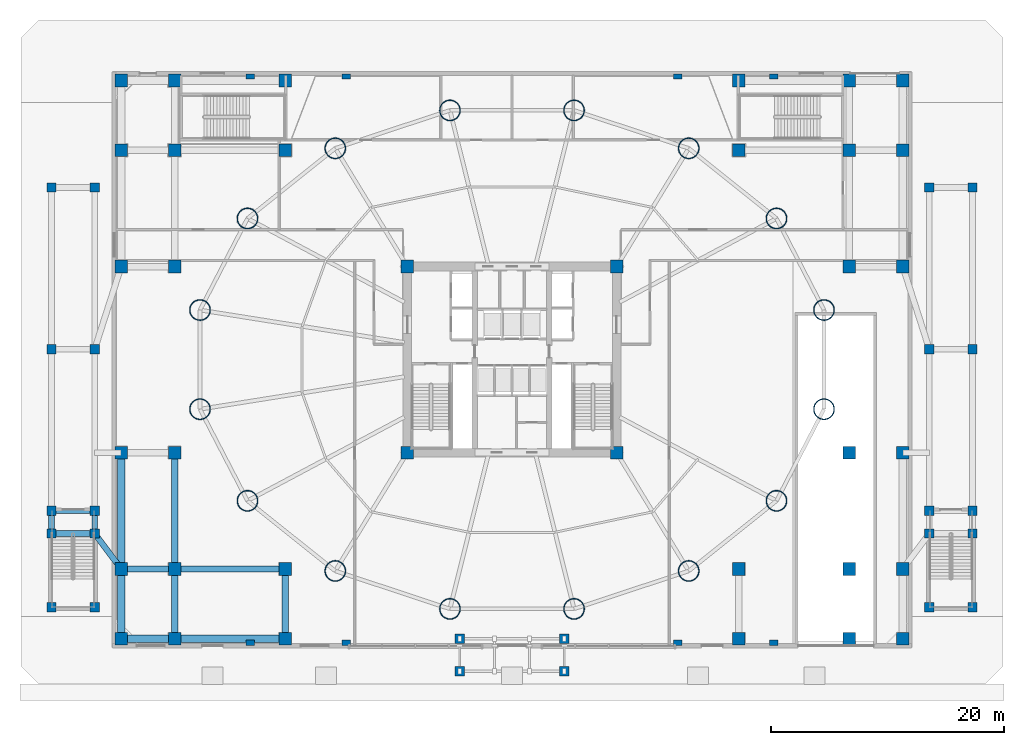
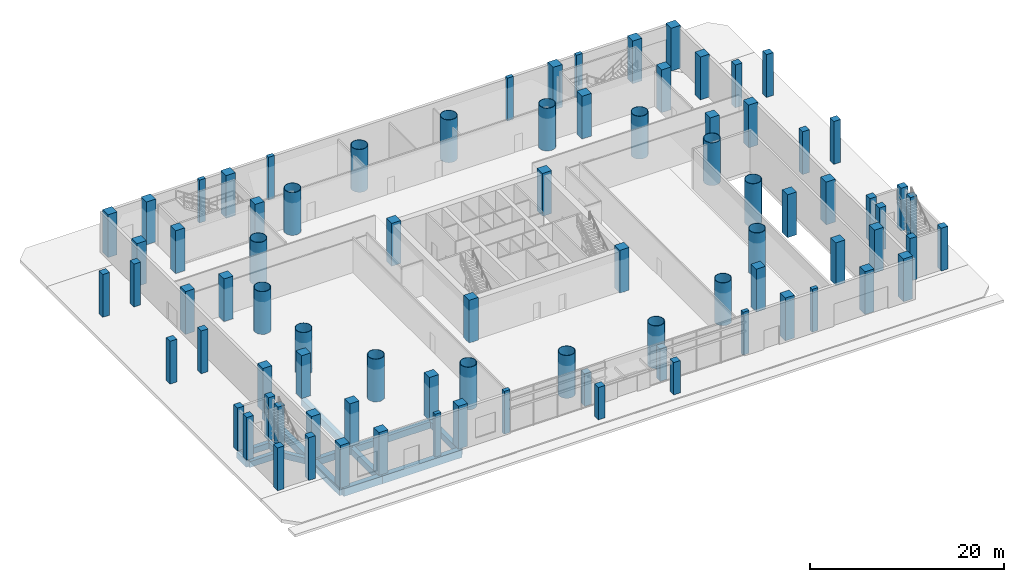
# One storey, part 1 of 25: 84 columns, 14 beams.
"""IFC4 building model written with IfcOpenShell, lengths in metres."""

import ifcopenshell
import ifcopenshell.guid

model = None  # the IFC model being written
_history = None  # IfcOwnerHistory: only IFC2X3 demands one
_inside = {}  # id of a spatial element -> (the spatial element, [elements in it])
_under = {}  # id of a project, library or spatial element -> (it, [spatial elements below it])
_declared = {}  # id of a project -> (the project, [libraries it declares])
_typed = {}  # id of a type object -> (the type object, [elements of that type])
_made_of = {}  # id of a material, layer set ... -> (it, [elements and type objects made of it])


def new_model(schema):
    """Start an empty IFC model of exactly this schema.

    Asked for "IFC4X3", IfcOpenShell would pick the latest addendum, in which some entities
    have other attributes; the version numbers below select the first issue.
    IFC2X3 requires an IfcOwnerHistory on every rooted entity: one is made here for all.
    """
    global model, _history
    if schema == "IFC4X3":
        model = ifcopenshell.file(schema_version=(4, 3, 0, 0))
    else:
        model = ifcopenshell.file(schema=schema)
    _inside.clear()
    _under.clear()
    _declared.clear()
    _typed.clear()
    _made_of.clear()
    _history = None
    if model.schema == "IFC2X3":
        org = make("IfcOrganization", Name="unknown")
        user = make(
            "IfcPersonAndOrganization",
            ThePerson=make("IfcPerson", FamilyName="unknown"),
            TheOrganization=org,
        )
        app = make(
            "IfcApplication",
            ApplicationDeveloper=org,
            Version="unknown",
            ApplicationFullName="unknown",
            ApplicationIdentifier="unknown",
        )
        _history = make(
            "IfcOwnerHistory",
            OwningUser=user,
            OwningApplication=app,
            ChangeAction="ADDED",
            CreationDate=0,
        )
    return model


def make(cls, **values):
    """One entity of the class cls with the attributes given. An attribute that is None is left unset."""
    return model.create_entity(
        cls, **{name: value for name, value in values.items() if value is not None}
    )


def rooted(cls, **values):
    """An entity with a GlobalId (a new one), such as an element, a storey or a relation."""
    return make(cls, GlobalId=ifcopenshell.guid.new(), OwnerHistory=_history, **values)


def si_unit(unit_type, name, prefix=None):
    """IfcSIUnit, for example si_unit("LENGTHUNIT", "METRE", prefix="MILLI")."""
    return make("IfcSIUnit", UnitType=unit_type, Prefix=prefix, Name=name)


def assignment(units):
    """IfcUnitAssignment: the units of a project."""
    return None if units is None else make("IfcUnitAssignment", Units=units)


def point(xyz):
    """IfcCartesianPoint."""
    return None if xyz is None else make("IfcCartesianPoint", Coordinates=xyz)


def direction(xyz):
    """IfcDirection."""
    return None if xyz is None else make("IfcDirection", DirectionRatios=xyz)


def frame(location, z_axis=None, x_axis=None):
    """IfcAxis2Placement3D, a coordinate frame: its origin and axes. An axis left out is left unset."""
    return make(
        "IfcAxis2Placement3D",
        Location=point(location),
        Axis=direction(z_axis),
        RefDirection=direction(x_axis),
    )


def frame_2d(location, x_axis=None):
    """IfcAxis2Placement2D, a coordinate frame in the plane: its origin and x axis."""
    return make(
        "IfcAxis2Placement2D", Location=point(location), RefDirection=direction(x_axis)
    )


def origin():
    """The frame at (0, 0, 0) with its axes left unset."""
    return frame((0.0, 0.0, 0.0))


def origin_2d():
    """The frame at (0, 0) in the plane with its x axis left unset."""
    return frame_2d((0.0, 0.0))


def place(relative_to, where):
    """IfcLocalPlacement: puts the frame where relative to a parent placement (None: the world)."""
    return make(
        "IfcLocalPlacement", PlacementRelTo=relative_to, RelativePlacement=where
    )


def context(
    kind, dimensions, precision=None, world=None, true_north=None, identifier=None
):
    """IfcGeometricRepresentationContext, for example the 3D "Model" context."""
    return make(
        "IfcGeometricRepresentationContext",
        ContextIdentifier=identifier,
        ContextType=kind,
        CoordinateSpaceDimension=dimensions,
        Precision=precision,
        WorldCoordinateSystem=world,
        TrueNorth=true_north,
    )


def subcontext(parent, identifier, kind, view, scale=None):
    """IfcGeometricRepresentationSubContext, for example "Body" below "Model"."""
    return make(
        "IfcGeometricRepresentationSubContext",
        ContextIdentifier=identifier,
        ContextType=kind,
        ParentContext=parent,
        TargetScale=scale,
        TargetView=view,
    )


def project(units=None, contexts=None):
    """IfcProject with its units and contexts."""
    return rooted(
        "IfcProject",
        Name="project",
        RepresentationContexts=contexts,
        UnitsInContext=assignment(units),
    )


def spatial(cls, under=None, at=None, **own):
    """A site, building, storey or space (cls), placed at a placement, below another one or the project."""
    s = rooted(cls, ObjectPlacement=at, **own)
    if under is not None:
        _under.setdefault(under.id(), (under, []))[1].append(s)
    return s


def profile(cls, at=None, kind="AREA", **sizes):
    """A parametric profile (cls). Its sizes go by their IFC names, for example OverallWidth=200.0."""
    return make(cls, ProfileType=kind, Position=at, **sizes)


def rectangle(**sizes):
    """IfcRectangleProfileDef."""
    return profile("IfcRectangleProfileDef", **sizes)


def hollow_circle(**sizes):
    """IfcCircleHollowProfileDef."""
    return profile("IfcCircleHollowProfileDef", **sizes)


def extrude(swept, where, along, depth):
    """IfcExtrudedAreaSolid: the profile swept, set in the frame where, extruded along a direction by depth."""
    return make(
        "IfcExtrudedAreaSolid",
        SweptArea=swept,
        Position=where,
        ExtrudedDirection=direction(along),
        Depth=depth,
    )


def shape(context_of_items, identifier, shape_type, items):
    """IfcShapeRepresentation: the items that make up one representation, for example the "Body"."""
    return make(
        "IfcShapeRepresentation",
        ContextOfItems=context_of_items,
        RepresentationIdentifier=identifier,
        RepresentationType=shape_type,
        Items=items,
    )


def material(Name=None, Category=None):
    """IfcMaterial."""
    return make("IfcMaterial", Name=Name, Category=Category)


def material_profile(
    of_material, cross_section, Name=None, Category=None, Priority=None
):
    """IfcMaterialProfile: a cross section and its material."""
    return make(
        "IfcMaterialProfile",
        Name=Name,
        Material=of_material,
        Profile=cross_section,
        Priority=Priority,
        Category=Category,
    )


def profile_set(profiles, Name=None, composite=None):
    """IfcMaterialProfileSet."""
    return make(
        "IfcMaterialProfileSet",
        Name=Name,
        MaterialProfiles=profiles,
        CompositeProfile=composite,
    )


def made_of(thing, what):
    """Note that an element or type object is made of a material, layer set ...; save() writes the relation."""
    if what is not None:
        _made_of.setdefault(what.id(), (what, []))[1].append(thing)
    return thing


def type_object(cls, material=None, **own):
    """A type object (cls), such as IfcWallType, which elements share."""
    return made_of(rooted(cls, **own), material)


def element(
    cls,
    number,
    at=None,
    inside=None,
    cuts=None,
    type_object=None,
    material=None,
    context=None,
    identifier="Body",
    shape_type=None,
    held_by="IfcProductDefinitionShape",
    body=None,
    shapes=None,
    **own,
):
    """One element of the class cls, such as IfcWall. Its Tag is "e" and its number.

    at: its placement. inside: the storey or other place that contains it. cuts: it is an
    opening in that element (IfcRelVoidsElement). A single representation is given by context,
    identifier, shape_type and body (its items); several are given by shapes. held_by: the class
    of the entity that holds the representations. save() writes the other relations.
    """
    e = rooted(cls, Tag="e%d" % number, ObjectPlacement=at, **own)
    if body is not None:
        shapes = [shape(context, identifier, shape_type, body)]
    if shapes is not None:
        e.Representation = make(held_by, Representations=shapes)
    if inside is not None:
        _inside.setdefault(inside.id(), (inside, []))[1].append(e)
    if cuts is not None:
        rooted(
            "IfcRelVoidsElement", RelatingBuildingElement=cuts, RelatedOpeningElement=e
        )
    if type_object is not None:
        _typed.setdefault(type_object.id(), (type_object, []))[1].append(e)
    return made_of(e, material)


def aggregate(whole, parts):
    """IfcRelAggregates: a whole, such as a stair, and the parts it consists of."""
    return rooted("IfcRelAggregates", RelatingObject=whole, RelatedObjects=parts)


def save(model, path):
    """Write the relations noted so far, then the file.

    IfcRelAggregates (storeys below a building ...), IfcRelContainedInSpatialStructure (elements
    in a storey), IfcRelDefinesByType, IfcRelAssociatesMaterial and IfcRelDeclares: one each for
    every whole, place, type object, material and project.
    """
    for whole, parts in _under.values():
        aggregate(whole, parts)
    for where, things in _inside.values():
        rooted(
            "IfcRelContainedInSpatialStructure",
            RelatedElements=things,
            RelatingStructure=where,
        )
    for kind, things in _typed.values():
        rooted("IfcRelDefinesByType", RelatedObjects=things, RelatingType=kind)
    for what, things in _made_of.values():
        rooted("IfcRelAssociatesMaterial", RelatedObjects=things, RelatingMaterial=what)
    for by, libraries in _declared.values():
        rooted("IfcRelDeclares", RelatingContext=by, RelatedDefinitions=libraries)
    model.write(path)


model = new_model("IFC4")

# Units and contexts
model_context = context("Model", 3, precision=1e-05, world=origin(), true_north=direction((-0.2419218956, 0.970295726276)))
body_context = subcontext(model_context, "Body", "Model", "MODEL_VIEW")
ifc_project = project(units=[si_unit("LENGTHUNIT", "METRE"), si_unit("AREAUNIT", "SQUARE_METRE"), si_unit("VOLUMEUNIT", "CUBIC_METRE"), si_unit("PLANEANGLEUNIT", "RADIAN"), si_unit("MASSUNIT", "GRAM", prefix="KILO")], contexts=[model_context])

# Site, building, storey
site_placement = place(None, origin())
site = spatial("IfcSite", under=ifc_project, at=site_placement, CompositionType="ELEMENT")
building_placement = place(site_placement, origin())
building = spatial("IfcBuilding", under=site, at=building_placement, Name="Cobrevalo Terracotta Tower", CompositionType="ELEMENT")
storey_placement = place(building_placement, origin())
storey = spatial("IfcBuildingStorey", under=building, at=storey_placement, Name="L00", CompositionType="ELEMENT", Elevation=0.0)

# Columns
ifc_material_1 = material(Name="Steel S355", Category="steel")
ifc_material_profile_1 = material_profile(ifc_material_1, hollow_circle(Radius=0.89990234375, WallThickness=0.054931640625, at=origin_2d()), Name="CHS 1800x55")
ifc_profile_set_1 = profile_set([ifc_material_profile_1], Name="Steel S355")
column_type_1 = type_object("IfcColumnType", Name="Structural Column CHS 1800x55 (Steel S355)", PredefinedType="COLUMN", material=ifc_profile_set_1)
for number, where, z_axis, x_axis, name in (
    (1, (64.824462890625, 31.062744140625, 0.0), (0.0, 0.0, 1.0), (1.0, 0.0, 0.0), "L00 composite megacolumn MC01"),
    (2, (60.74072265625, 38.939208984375, 0.0), (0.0, 0.0, 1.0), (1.0, 0.0, 0.0), "L00 composite megacolumn MC02"),
    (3, (53.19482421875, 44.967529296875, 0.0), (0.0, 0.0, 1.0), (1.0, 0.0, 0.0), "L00 composite megacolumn MC03"),
    (4, (43.335693359375, 48.230224609375, 0.0), (0.0, 0.0, 1.0), (1.0, 0.0, 0.0), "L00 composite megacolumn MC04"),
    (5, (32.664306640625, 48.230224609375, 0.0), (0.0, 0.0, 1.0), (1.0, 0.0, 0.0), "L00 composite megacolumn MC05"),
    (6, (22.80517578125, 44.967529296875, 0.0), (0.0, 0.0, 1.0), (1.0, 0.0, 0.0), "L00 composite megacolumn MC06"),
    (7, (15.25927734375, 38.939208984375, 0.0), (0.0, 0.0, 1.0), (1.0, 0.0, 0.0), "L00 composite megacolumn MC07"),
    (8, (11.175537109375, 31.062744140625, 0.0), (0.0, 0.0, 1.0), (1.0, 0.0, 0.0), "L00 composite megacolumn MC08"),
    (9, (11.175537109375, 22.537353515625, 0.0), (0.0, 0.0, 1.0), (1.0, 0.0, 0.0), "L00 composite megacolumn MC09"),
    (10, (15.25927734375, 14.660888671875, 0.0), (0.0, 0.0, 1.0), (1.0, 0.0, 0.0), "L00 composite megacolumn MC10"),
    (11, (22.80517578125, 8.63232421875, 0.0), (0.0, 0.0, 1.0), (1.0, 0.0, 0.0), "L00 composite megacolumn MC11"),
    (12, (32.664306640625, 5.369873046875, 0.0), (0.0, 0.0, 1.0), (1.0, 0.0, 0.0), "L00 composite megacolumn MC12"),
    (13, (43.335693359375, 5.369873046875, 0.0), (0.0, 0.0, 1.0), (1.0, 0.0, 0.0), "L00 composite megacolumn MC13"),
    (14, (53.19482421875, 8.63232421875, 0.0), (0.0, 0.0, 1.0), (1.0, 0.0, 0.0), "L00 composite megacolumn MC14"),
    (15, (60.74072265625, 14.660888671875, 0.0), (0.0, 0.0, 1.0), (1.0, 0.0, 0.0), "L00 composite megacolumn MC15"),
    (16, (64.824462890625, 22.537353515625, 0.0), (0.0, 0.0, 1.0), (1.0, 0.0, 0.0), "L00 composite megacolumn MC16"),
):
    element("IfcColumn", number, at=place(storey_placement, frame(where, z_axis=z_axis, x_axis=x_axis)), inside=storey, type_object=column_type_1, Name=name, PredefinedType="COLUMN", context=body_context, shape_type="SweptSolid", body=[
        extrude(hollow_circle(Radius=0.89990234375, WallThickness=0.054931640625, at=origin_2d()), origin(), (0.0, 0.0, 1.0), 5.39990234375),
    ])
ifc_material_2 = material(Name="Concrete C60", Category="concrete")
ifc_material_profile_2 = material_profile(ifc_material_2, rectangle(XDim=1.10009765625, YDim=1.10009765625, at=origin_2d()), Name="RC COL 1100x1100")
ifc_profile_set_2 = profile_set([ifc_material_profile_2], Name="Concrete C60")
column_type_2 = type_object("IfcColumnType", Name="Structural Column RC COL 1100x1100 (Concrete C60)", PredefinedType="COLUMN", material=ifc_profile_set_2)
for number, where, z_axis, x_axis, name in (
    (17, (29.0, 18.800048828125, 0.0), (0.0, 0.0, 1.0), (1.0, 0.0, 0.0), "L00 core corner column CC1"),
    (18, (47.0, 18.800048828125, 0.0), (0.0, 0.0, 1.0), (1.0, 0.0, 0.0), "L00 core corner column CC2"),
    (19, (47.0, 34.800048828125, 0.0), (0.0, 0.0, 1.0), (1.0, 0.0, 0.0), "L00 core corner column CC3"),
    (20, (29.0, 34.800048828125, 0.0), (0.0, 0.0, 1.0), (1.0, 0.0, 0.0), "L00 core corner column CC4"),
    (21, (4.39990234375, 2.800048828125, 0.0), (0.0, 0.0, 1.0), (1.0, 0.0, 0.0), "L00 podium column G1-GA"),
    (22, (4.39990234375, 8.800048828125, 0.0), (0.0, 0.0, 1.0), (1.0, 0.0, 0.0), "L00 podium column G1-GB"),
    (23, (4.39990234375, 18.800048828125, 0.0), (0.0, 0.0, 1.0), (1.0, 0.0, 0.0), "L00 podium column G1-GC"),
    (24, (4.39990234375, 34.800048828125, 0.0), (0.0, 0.0, 1.0), (1.0, 0.0, 0.0), "L00 podium column G1-GE"),
    (25, (4.39990234375, 44.800048828125, 0.0), (0.0, 0.0, 1.0), (1.0, 0.0, 0.0), "L00 podium column G1-GF"),
    (26, (4.39990234375, 50.800048828125, 0.0), (0.0, 0.0, 1.0), (1.0, 0.0, 0.0), "L00 podium column G1-GG"),
    (27, (9.0, 2.800048828125, 0.0), (0.0, 0.0, 1.0), (1.0, 0.0, 0.0), "L00 podium column G2-GA"),
    (28, (9.0, 8.800048828125, 0.0), (0.0, 0.0, 1.0), (1.0, 0.0, 0.0), "L00 podium column G2-GB"),
    (29, (9.0, 18.800048828125, 0.0), (0.0, 0.0, 1.0), (1.0, 0.0, 0.0), "L00 podium column G2-GC"),
    (30, (9.0, 34.800048828125, 0.0), (0.0, 0.0, 1.0), (1.0, 0.0, 0.0), "L00 podium column G2-GE"),
    (31, (9.0, 44.800048828125, 0.0), (0.0, 0.0, 1.0), (1.0, 0.0, 0.0), "L00 podium column G2-GF"),
    (32, (9.0, 50.800048828125, 0.0), (0.0, 0.0, 1.0), (1.0, 0.0, 0.0), "L00 podium column G2-GG"),
    (33, (18.5, 2.800048828125, 0.0), (0.0, 0.0, 1.0), (1.0, 0.0, 0.0), "L00 podium column G3-GA"),
    (34, (18.5, 8.800048828125, 0.0), (0.0, 0.0, 1.0), (1.0, 0.0, 0.0), "L00 podium column G3-GB"),
    (35, (18.5, 44.800048828125, 0.0), (0.0, 0.0, 1.0), (1.0, 0.0, 0.0), "L00 podium column G3-GF"),
    (36, (18.5, 50.800048828125, 0.0), (0.0, 0.0, 1.0), (1.0, 0.0, 0.0), "L00 podium column G3-GG"),
    (37, (57.5, 2.800048828125, 0.0), (0.0, 0.0, 1.0), (1.0, 0.0, 0.0), "L00 podium column G7-GA"),
    (38, (57.5, 8.800048828125, 0.0), (0.0, 0.0, 1.0), (1.0, 0.0, 0.0), "L00 podium column G7-GB"),
    (39, (57.5, 44.800048828125, 0.0), (0.0, 0.0, 1.0), (1.0, 0.0, 0.0), "L00 podium column G7-GF"),
    (40, (57.5, 50.800048828125, 0.0), (0.0, 0.0, 1.0), (1.0, 0.0, 0.0), "L00 podium column G7-GG"),
    (41, (67.0, 2.800048828125, 0.0), (0.0, 0.0, 1.0), (1.0, 0.0, 0.0), "L00 podium column G8-GA"),
    (42, (67.0, 8.800048828125, 0.0), (0.0, 0.0, 1.0), (1.0, 0.0, 0.0), "L00 podium column G8-GB"),
    (43, (67.0, 18.800048828125, 0.0), (0.0, 0.0, 1.0), (1.0, 0.0, 0.0), "L00 podium column G8-GC"),
    (44, (67.0, 34.800048828125, 0.0), (0.0, 0.0, 1.0), (1.0, 0.0, 0.0), "L00 podium column G8-GE"),
    (45, (67.0, 44.800048828125, 0.0), (0.0, 0.0, 1.0), (1.0, 0.0, 0.0), "L00 podium column G8-GF"),
    (46, (67.0, 50.800048828125, 0.0), (0.0, 0.0, 1.0), (1.0, 0.0, 0.0), "L00 podium column G8-GG"),
    (47, (71.60009765625, 2.800048828125, 0.0), (0.0, 0.0, 1.0), (1.0, 0.0, 0.0), "L00 podium column G9-GA"),
    (48, (71.60009765625, 8.800048828125, 0.0), (0.0, 0.0, 1.0), (1.0, 0.0, 0.0), "L00 podium column G9-GB"),
    (49, (71.60009765625, 18.800048828125, 0.0), (0.0, 0.0, 1.0), (1.0, 0.0, 0.0), "L00 podium column G9-GC"),
    (50, (71.60009765625, 34.800048828125, 0.0), (0.0, 0.0, 1.0), (1.0, 0.0, 0.0), "L00 podium column G9-GE"),
    (51, (71.60009765625, 44.800048828125, 0.0), (0.0, 0.0, 1.0), (1.0, 0.0, 0.0), "L00 podium column G9-GF"),
    (52, (71.60009765625, 50.800048828125, 0.0), (0.0, 0.0, 1.0), (1.0, 0.0, 0.0), "L00 podium column G9-GG"),
):
    element("IfcColumn", number, at=place(storey_placement, frame(where, z_axis=z_axis, x_axis=x_axis)), inside=storey, type_object=column_type_2, Name=name, PredefinedType="COLUMN", context=body_context, shape_type="SweptSolid", body=[
        extrude(rectangle(XDim=1.10009765625, YDim=1.10009765625, at=origin_2d()), origin(), (0.0, 0.0, 1.0), 5.39990234375),
    ])
ifc_material_3 = material(Name="Concrete C50", Category="concrete")
ifc_material_profile_3 = material_profile(ifc_material_3, rectangle(XDim=0.800048828125, YDim=0.800048828125, at=origin_2d()), Name="RC COL 800x800")
ifc_profile_set_3 = profile_set([ifc_material_profile_3], Name="Concrete C50")
column_type_3 = type_object("IfcColumnType", Name="Structural Column RC COL 800x800 (Concrete C50)", PredefinedType="COLUMN", material=ifc_profile_set_3)
for number, where, z_axis, x_axis, name in (
    (53, (-1.60009765625, 5.5, 0.0), (0.0, 0.0, 1.0), (1.0, 0.0, 0.0), "L00 garden wing column W11"),
    (54, (2.1201171875, 5.5, 0.0), (0.0, 0.0, 1.0), (1.0, 0.0, 0.0), "L00 garden wing column W21"),
    (55, (-1.60009765625, 11.85009765625, 0.0), (0.0, 0.0, 1.0), (1.0, 0.0, 0.0), "L00 garden wing column W12"),
    (56, (2.1201171875, 11.85009765625, 0.0), (0.0, 0.0, 1.0), (1.0, 0.0, 0.0), "L00 garden wing column W22"),
    (57, (-1.60009765625, 13.800048828125, 0.0), (0.0, 0.0, 1.0), (1.0, 0.0, 0.0), "L00 garden wing column W13"),
    (58, (2.1201171875, 13.800048828125, 0.0), (0.0, 0.0, 1.0), (1.0, 0.0, 0.0), "L00 garden wing column W23"),
    (59, (-1.60009765625, 27.699951171875, 0.0), (0.0, 0.0, 1.0), (1.0, 0.0, 0.0), "L00 garden wing column W14"),
    (60, (2.1201171875, 27.699951171875, 0.0), (0.0, 0.0, 1.0), (1.0, 0.0, 0.0), "L00 garden wing column W24"),
    (61, (-1.60009765625, 41.60009765625, 0.0), (0.0, 0.0, 1.0), (1.0, 0.0, 0.0), "L00 garden wing column W15"),
    (62, (2.1201171875, 41.60009765625, 0.0), (0.0, 0.0, 1.0), (1.0, 0.0, 0.0), "L00 garden wing column W25"),
    (63, (73.8798828125, 5.5, 0.0), (0.0, 0.0, 1.0), (1.0, 0.0, 0.0), "L00 garden wing column E11"),
    (64, (77.60009765625, 5.5, 0.0), (0.0, 0.0, 1.0), (1.0, 0.0, 0.0), "L00 garden wing column E21"),
    (65, (73.8798828125, 11.85009765625, 0.0), (0.0, 0.0, 1.0), (1.0, 0.0, 0.0), "L00 garden wing column E12"),
    (66, (77.60009765625, 11.85009765625, 0.0), (0.0, 0.0, 1.0), (1.0, 0.0, 0.0), "L00 garden wing column E22"),
    (67, (73.8798828125, 13.800048828125, 0.0), (0.0, 0.0, 1.0), (1.0, 0.0, 0.0), "L00 garden wing column E13"),
    (68, (77.60009765625, 13.800048828125, 0.0), (0.0, 0.0, 1.0), (1.0, 0.0, 0.0), "L00 garden wing column E23"),
    (69, (73.8798828125, 27.699951171875, 0.0), (0.0, 0.0, 1.0), (1.0, 0.0, 0.0), "L00 garden wing column E14"),
    (70, (77.60009765625, 27.699951171875, 0.0), (0.0, 0.0, 1.0), (1.0, 0.0, 0.0), "L00 garden wing column E24"),
    (71, (73.8798828125, 41.60009765625, 0.0), (0.0, 0.0, 1.0), (1.0, 0.0, 0.0), "L00 garden wing column E15"),
    (72, (77.60009765625, 41.60009765625, 0.0), (0.0, 0.0, 1.0), (1.0, 0.0, 0.0), "L00 garden wing column E25"),
):
    element("IfcColumn", number, at=place(storey_placement, frame(where, z_axis=z_axis, x_axis=x_axis)), inside=storey, type_object=column_type_3, Name=name, PredefinedType="COLUMN", context=body_context, shape_type="SweptSolid", body=[
        extrude(rectangle(XDim=0.800048828125, YDim=0.800048828125, at=origin_2d()), origin(), (0.0, 0.0, 1.0), 5.39990234375),
    ])
for number, where, z_axis, x_axis, name in (
    (73, (33.5, 0.0, 0.0), (0.0, 0.0, 1.0), (1.0, 0.0, 0.0), "L00 main entrance portal canopy column F1"),
    (74, (33.5, 2.800048828125, 0.0), (0.0, 0.0, 1.0), (1.0, 0.0, 0.0), "L00 main entrance portal canopy column R1"),
    (75, (42.5, 0.0, 0.0), (0.0, 0.0, 1.0), (1.0, 0.0, 0.0), "L00 main entrance portal canopy column F2"),
    (76, (42.5, 2.800048828125, 0.0), (0.0, 0.0, 1.0), (1.0, 0.0, 0.0), "L00 main entrance portal canopy column R2"),
):
    element("IfcColumn", number, at=place(storey_placement, frame(where, z_axis=z_axis, x_axis=x_axis)), inside=storey, type_object=column_type_3, Name=name, PredefinedType="COLUMN", context=body_context, shape_type="SweptSolid", body=[
        extrude(rectangle(XDim=0.800048828125, YDim=0.800048828125, at=origin_2d()), origin(), (0.0, 0.0, 1.0), 4.080078125),
    ])
ifc_material_profile_4 = material_profile(ifc_material_3, rectangle(XDim=0.699951171875, YDim=0.449951171875, at=origin_2d()), Name="RC PIL 700x450")
ifc_profile_set_4 = profile_set([ifc_material_profile_4], Name="Concrete C50")
column_type_4 = type_object("IfcColumnType", Name="Structural Pilaster RC PIL 700x450 (Concrete C50)", PredefinedType="PILASTER", material=ifc_profile_set_4)
for number, where, z_axis, x_axis, name in (
    (77, (15.5, 2.449951171875, 0.0), (0.0, 0.0, 1.0), (1.0, 0.0, 0.0), "L00 brutalist perimeter pilaster S1"),
    (78, (15.5, 51.14990234375, 0.0), (0.0, 0.0, 1.0), (1.0, 0.0, 0.0), "L00 brutalist perimeter pilaster N1"),
    (79, (23.75, 2.449951171875, 0.0), (0.0, 0.0, 1.0), (1.0, 0.0, 0.0), "L00 brutalist perimeter pilaster S2"),
    (80, (23.75, 51.14990234375, 0.0), (0.0, 0.0, 1.0), (1.0, 0.0, 0.0), "L00 brutalist perimeter pilaster N2"),
    (81, (52.25, 2.449951171875, 0.0), (0.0, 0.0, 1.0), (1.0, 0.0, 0.0), "L00 brutalist perimeter pilaster S3"),
    (82, (52.25, 51.14990234375, 0.0), (0.0, 0.0, 1.0), (1.0, 0.0, 0.0), "L00 brutalist perimeter pilaster N3"),
    (83, (60.5, 2.449951171875, 0.0), (0.0, 0.0, 1.0), (1.0, 0.0, 0.0), "L00 brutalist perimeter pilaster S4"),
    (84, (60.5, 51.14990234375, 0.0), (0.0, 0.0, 1.0), (1.0, 0.0, 0.0), "L00 brutalist perimeter pilaster N4"),
):
    element("IfcColumn", number, at=place(storey_placement, frame(where, z_axis=z_axis, x_axis=x_axis)), inside=storey, type_object=column_type_4, Name=name, PredefinedType="PILASTER", context=body_context, shape_type="SweptSolid", body=[
        extrude(rectangle(XDim=0.699951171875, YDim=0.449951171875, at=origin_2d()), origin(), (0.0, 0.0, 1.0), 5.39990234375),
    ])

# Beams
ifc_material_profile_5 = material_profile(ifc_material_3, rectangle(XDim=0.64990234375, YDim=0.949951171875, at=origin_2d()), Name="RC BM 650x950")
ifc_profile_set_5 = profile_set([ifc_material_profile_5], Name="Concrete C50")
beam_type_1 = type_object("IfcBeamType", Name="Structural Spandrel RC BM 650x950 (Concrete C50)", PredefinedType="SPANDREL", material=ifc_profile_set_5)
beam_1_placement = place(storey_placement, frame((4.39990234375, 2.800048828125, -0.89501953125), z_axis=(0.0, 1.0, 0.0), x_axis=(-1.0, 0.0, 0.0)))
element("IfcBeam", 85, at=beam_1_placement, inside=storey, type_object=beam_type_1, Name="L00 podium grid beam G1-GA to G1-GB", PredefinedType="SPANDREL", context=body_context, shape_type="SweptSolid", body=[
    extrude(rectangle(XDim=0.64990234375, YDim=0.949951171875, at=origin_2d()), origin(), (0.0, 0.0, 1.0), 6.0),
])
beam_2_placement = place(storey_placement, frame((4.39990234375, 2.800048828125, -0.89501953125), z_axis=(1.0, 0.0, 0.0), x_axis=(0.0, 1.0, 0.0)))
element("IfcBeam", 86, at=beam_2_placement, inside=storey, type_object=beam_type_1, Name="L00 podium grid beam G1-GA to G2-GA", PredefinedType="SPANDREL", context=body_context, shape_type="SweptSolid", body=[
    extrude(rectangle(XDim=0.64990234375, YDim=0.949951171875, at=origin_2d()), origin(), (0.0, 0.0, 1.0), 4.60009765625),
])
beam_3_placement = place(storey_placement, frame((4.39990234375, 8.800048828125, -0.89501953125), z_axis=(0.0, 1.0, 0.0), x_axis=(-1.0, 0.0, 0.0)))
element("IfcBeam", 87, at=beam_3_placement, inside=storey, type_object=beam_type_1, Name="L00 podium grid beam G1-GB to G1-GC", PredefinedType="SPANDREL", context=body_context, shape_type="SweptSolid", body=[
    extrude(rectangle(XDim=0.64990234375, YDim=0.949951171875, at=origin_2d()), origin(), (0.0, 0.0, 1.0), 10.0),
])
beam_4_placement = place(storey_placement, frame((9.0, 2.800048828125, -0.89501953125), z_axis=(1.0, 0.0, 0.0), x_axis=(0.0, 1.0, 0.0)))
element("IfcBeam", 88, at=beam_4_placement, inside=storey, type_object=beam_type_1, Name="L00 podium grid beam G2-GA to G3-GA", PredefinedType="SPANDREL", context=body_context, shape_type="SweptSolid", body=[
    extrude(rectangle(XDim=0.64990234375, YDim=0.949951171875, at=origin_2d()), origin(), (0.0, 0.0, 1.0), 9.5),
])
ifc_material_profile_6 = material_profile(ifc_material_3, rectangle(XDim=0.5, YDim=0.75, at=origin_2d()), Name="RC BM 500x750")
ifc_profile_set_6 = profile_set([ifc_material_profile_6], Name="Concrete C50")
beam_type_2 = type_object("IfcBeamType", Name="Structural T Beam RC BM 500x750 (Concrete C50)", PredefinedType="T_BEAM", material=ifc_profile_set_6)
for number, where, z_axis, x_axis, name in (
    (89, (-1.60009765625, 11.85009765625, -0.794921875), (0.0, 1.0, 0.0), (-1.0, 0.0, 0.0), "L00 garden stair landing side beam W1"),
    (90, (2.1201171875, 11.85009765625, -0.794921875), (0.0, 1.0, 0.0), (-1.0, 0.0, 0.0), "L00 garden stair landing side beam W2"),
):
    element("IfcBeam", number, at=place(storey_placement, frame(where, z_axis=z_axis, x_axis=x_axis)), inside=storey, type_object=beam_type_2, Name=name, PredefinedType="T_BEAM", context=body_context, shape_type="SweptSolid", body=[
        extrude(rectangle(XDim=0.5, YDim=0.75, at=origin_2d()), origin(), (0.0, 0.0, 1.0), 1.949951171875),
    ])
for number, where, z_axis, x_axis, name in (
    (91, (-1.60009765625, 11.85009765625, -0.794921875), (1.0, 0.0, 0.0), (0.0, 1.0, 0.0), "L00 garden stair shaft header beam WS"),
    (92, (-1.60009765625, 13.800048828125, -0.794921875), (1.0, 0.0, 0.0), (0.0, 1.0, 0.0), "L00 garden stair shaft header beam WN"),
):
    element("IfcBeam", number, at=place(storey_placement, frame(where, z_axis=z_axis, x_axis=x_axis)), inside=storey, type_object=beam_type_2, Name=name, PredefinedType="T_BEAM", context=body_context, shape_type="SweptSolid", body=[
        extrude(rectangle(XDim=0.5, YDim=0.75, at=origin_2d()), origin(), (0.0, 0.0, 1.0), 3.72021484375),
    ])
beam_5_placement = place(storey_placement, frame((2.1201171875, 11.85009765625, -0.794921875), z_axis=(0.59869640819, -0.800976036359, 0.0), x_axis=(0.800976036359, 0.59869640819, 0.0)))
element("IfcBeam", 93, at=beam_5_placement, inside=storey, type_object=beam_type_2, Name="L00 garden stair frame tie beam W1", PredefinedType="T_BEAM", context=body_context, shape_type="SweptSolid", body=[
    extrude(rectangle(XDim=0.5, YDim=0.75, at=origin_2d()), origin(), (0.0, 0.0, 1.0), 3.807861328125),
])
ifc_material_profile_7 = material_profile(ifc_material_3, rectangle(XDim=0.550048828125, YDim=0.85009765625, at=origin_2d()), Name="RC BM 550x850")
ifc_profile_set_7 = profile_set([ifc_material_profile_7], Name="Concrete C50")
beam_type_3 = type_object("IfcBeamType", Name="Structural T Beam RC BM 550x850 (Concrete C50)", PredefinedType="T_BEAM", material=ifc_profile_set_7)
beam_6_placement = place(storey_placement, frame((4.39990234375, 8.800048828125, -0.844970703125), z_axis=(1.0, 0.0, 0.0), x_axis=(0.0, 1.0, 0.0)))
element("IfcBeam", 94, at=beam_6_placement, inside=storey, type_object=beam_type_3, Name="L00 podium grid beam G1-GB to G2-GB", PredefinedType="T_BEAM", context=body_context, shape_type="SweptSolid", body=[
    extrude(rectangle(XDim=0.550048828125, YDim=0.85009765625, at=origin_2d()), origin(), (0.0, 0.0, 1.0), 4.60009765625),
])
beam_7_placement = place(storey_placement, frame((9.0, 2.800048828125, -0.844970703125), z_axis=(0.0, 1.0, 0.0), x_axis=(-1.0, 0.0, 0.0)))
element("IfcBeam", 95, at=beam_7_placement, inside=storey, type_object=beam_type_3, Name="L00 podium grid beam G2-GA to G2-GB", PredefinedType="T_BEAM", context=body_context, shape_type="SweptSolid", body=[
    extrude(rectangle(XDim=0.550048828125, YDim=0.85009765625, at=origin_2d()), origin(), (0.0, 0.0, 1.0), 6.0),
])
beam_8_placement = place(storey_placement, frame((9.0, 8.800048828125, -0.844970703125), z_axis=(0.0, 1.0, 0.0), x_axis=(-1.0, 0.0, 0.0)))
element("IfcBeam", 96, at=beam_8_placement, inside=storey, type_object=beam_type_3, Name="L00 podium grid beam G2-GB to G2-GC", PredefinedType="T_BEAM", context=body_context, shape_type="SweptSolid", body=[
    extrude(rectangle(XDim=0.550048828125, YDim=0.85009765625, at=origin_2d()), origin(), (0.0, 0.0, 1.0), 10.0),
])
beam_9_placement = place(storey_placement, frame((9.0, 8.800048828125, -0.844970703125), z_axis=(1.0, 0.0, 0.0), x_axis=(0.0, 1.0, 0.0)))
element("IfcBeam", 97, at=beam_9_placement, inside=storey, type_object=beam_type_3, Name="L00 podium grid beam G2-GB to G3-GB", PredefinedType="T_BEAM", context=body_context, shape_type="SweptSolid", body=[
    extrude(rectangle(XDim=0.550048828125, YDim=0.85009765625, at=origin_2d()), origin(), (0.0, 0.0, 1.0), 9.5),
])
beam_10_placement = place(storey_placement, frame((18.5, 2.800048828125, -0.844970703125), z_axis=(0.0, 1.0, 0.0), x_axis=(-1.0, 0.0, 0.0)))
element("IfcBeam", 98, at=beam_10_placement, inside=storey, type_object=beam_type_3, Name="L00 podium grid beam G3-GA to G3-GB", PredefinedType="T_BEAM", context=body_context, shape_type="SweptSolid", body=[
    extrude(rectangle(XDim=0.550048828125, YDim=0.85009765625, at=origin_2d()), origin(), (0.0, 0.0, 1.0), 6.0),
])

save(model, "model.ifc")
